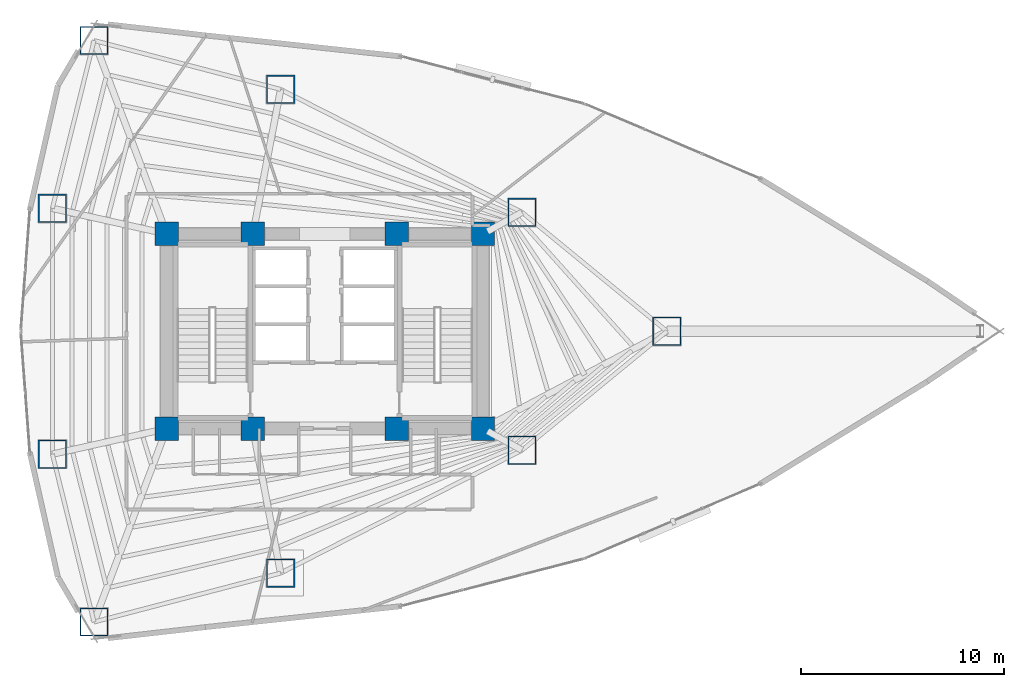
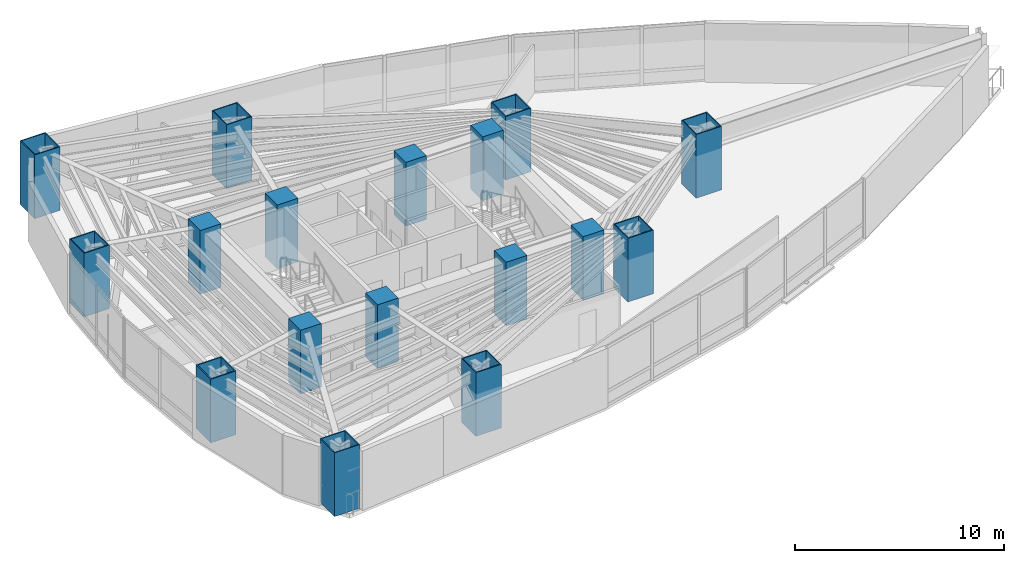
# One storey, part 1 of 20: 17 columns.
"""IFC4 building model written with IfcOpenShell, lengths in metres."""

from ifc_helpers import new_model, si_unit, direction, frame, origin, origin_2d, place, context, subcontext, project, spatial, rectangle, hollow_rectangle, extrude, material, material_profile, profile_set, type_object, element, save


model = new_model("IFC4")

# Units and contexts
model_context = context("Model", 3, precision=1e-05, world=origin(), true_north=direction((0.0, 1.0)))
body_context = subcontext(model_context, "Body", "Model", "MODEL_VIEW")
ifc_project = project(units=[si_unit("LENGTHUNIT", "METRE"), si_unit("AREAUNIT", "SQUARE_METRE"), si_unit("VOLUMEUNIT", "CUBIC_METRE"), si_unit("PLANEANGLEUNIT", "RADIAN"), si_unit("MASSUNIT", "GRAM", prefix="KILO")], contexts=[model_context])

# Site, building, storey
site_placement = place(None, origin())
site = spatial("IfcSite", under=ifc_project, at=site_placement, CompositionType="ELEMENT")
building_placement = place(site_placement, origin())
building = spatial("IfcBuilding", under=site, at=building_placement, Name="Menara Vayukalpa", CompositionType="ELEMENT")
storey_placement = place(building_placement, frame((0.0, 0.0, 61.080078125)))
storey = spatial("IfcBuildingStorey", under=building, at=storey_placement, Name="L14", CompositionType="ELEMENT", Elevation=61.080078125)

# Columns
ifc_material_1 = material(Name="Concrete C80/95", Category="concrete")
ifc_material_profile_1 = material_profile(ifc_material_1, rectangle(XDim=1.14990234375, YDim=1.14990234375, at=origin_2d()), Name="RC 1150x1150")
ifc_profile_set_1 = profile_set([ifc_material_profile_1], Name="Concrete C80/95")
column_type_1 = type_object("IfcColumnType", Name="COL-CC1", PredefinedType="COLUMN", material=ifc_profile_set_1)
for number, where, z_axis, x_axis, name in (
    (1, (17.800048828125, 17.199951171875, 0.0), (0.0, 0.0, 1.0), (1.0, 0.0, 0.0), "L14 Core Pilaster Column CC1"),
    (2, (22.050048828125, 17.199951171875, 0.0), (0.0, 0.0, 1.0), (1.0, 0.0, 0.0), "L14 Core Pilaster Column CC2"),
    (3, (29.14990234375, 17.199951171875, 0.0), (0.0, 0.0, 1.0), (1.0, 0.0, 0.0), "L14 Core Pilaster Column CC3"),
    (4, (33.39990234375, 17.199951171875, 0.0), (0.0, 0.0, 1.0), (1.0, 0.0, 0.0), "L14 Core Pilaster Column CC4"),
    (5, (17.800048828125, 26.800048828125, 0.0), (0.0, 0.0, 1.0), (1.0, 0.0, 0.0), "L14 Core Pilaster Column CC5"),
    (6, (22.050048828125, 26.800048828125, 0.0), (0.0, 0.0, 1.0), (1.0, 0.0, 0.0), "L14 Core Pilaster Column CC6"),
    (7, (29.14990234375, 26.800048828125, 0.0), (0.0, 0.0, 1.0), (1.0, 0.0, 0.0), "L14 Core Pilaster Column CC7"),
    (8, (33.39990234375, 26.800048828125, 0.0), (0.0, 0.0, 1.0), (1.0, 0.0, 0.0), "L14 Core Pilaster Column CC8"),
):
    element("IfcColumn", number, at=place(storey_placement, frame(where, z_axis=z_axis, x_axis=x_axis)), inside=storey, type_object=column_type_1, Name=name, PredefinedType="COLUMN", context=body_context, shape_type="SweptSolid", body=[
        extrude(rectangle(XDim=1.14990234375, YDim=1.14990234375, at=origin_2d()), origin(), (0.0, 0.0, 1.0), 3.719970703125),
    ])
ifc_material_2 = material(Name="Steel S460", Category="steel")
ifc_material_profile_2 = material_profile(ifc_material_2, hollow_rectangle(XDim=1.39990234375, YDim=1.39990234375, WallThickness=0.054931640625, at=origin_2d()), Name="BOX 1400x1400x55")
ifc_profile_set_2 = profile_set([ifc_material_profile_2], Name="Steel S460")
column_type_2 = type_object("IfcColumnType", Name="COL-MC1", PredefinedType="COLUMN", material=ifc_profile_set_2)
for number, where, z_axis, x_axis, name in (
    (9, (42.46484375, 22.0, 0.0), (0.0, 0.0, 1.0), (1.0, 0.0, 0.0), "L14 Perimeter Mega Column P01"),
    (10, (35.318115234375, 27.86328125, 0.0), (0.0, 0.0, 1.0), (1.0, 0.0, 0.0), "L14 Perimeter Mega Column P02"),
    (11, (23.41943359375, 33.9228515625, 0.0), (0.0, 0.0, 1.0), (1.0, 0.0, 0.0), "L14 Perimeter Mega Column P03"),
    (12, (14.217529296875, 36.33447265625, 0.0), (0.0, 0.0, 1.0), (1.0, 0.0, 0.0), "L14 Perimeter Mega Column P04"),
    (13, (12.164306640625, 28.0595703125, 0.0), (0.0, 0.0, 1.0), (1.0, 0.0, 0.0), "L14 Perimeter Mega Column P05"),
    (14, (12.164306640625, 15.9404296875, 0.0), (0.0, 0.0, 1.0), (1.0, 0.0, 0.0), "L14 Perimeter Mega Column P06"),
    (15, (14.217529296875, 7.66552734375, 0.0), (0.0, 0.0, 1.0), (1.0, 0.0, 0.0), "L14 Perimeter Mega Column P07"),
    (16, (23.41943359375, 10.0771484375, 0.0), (0.0, 0.0, 1.0), (1.0, 0.0, 0.0), "L14 Perimeter Mega Column P08"),
    (17, (35.318115234375, 16.13671875, 0.0), (0.0, 0.0, 1.0), (1.0, 0.0, 0.0), "L14 Perimeter Mega Column P09"),
):
    element("IfcColumn", number, at=place(storey_placement, frame(where, z_axis=z_axis, x_axis=x_axis)), inside=storey, type_object=column_type_2, Name=name, PredefinedType="COLUMN", context=body_context, shape_type="SweptSolid", body=[
        extrude(hollow_rectangle(XDim=1.39990234375, YDim=1.39990234375, WallThickness=0.054931640625, at=origin_2d()), origin(), (0.0, 0.0, 1.0), 3.719970703125),
    ])

save(model, "model.ifc")
